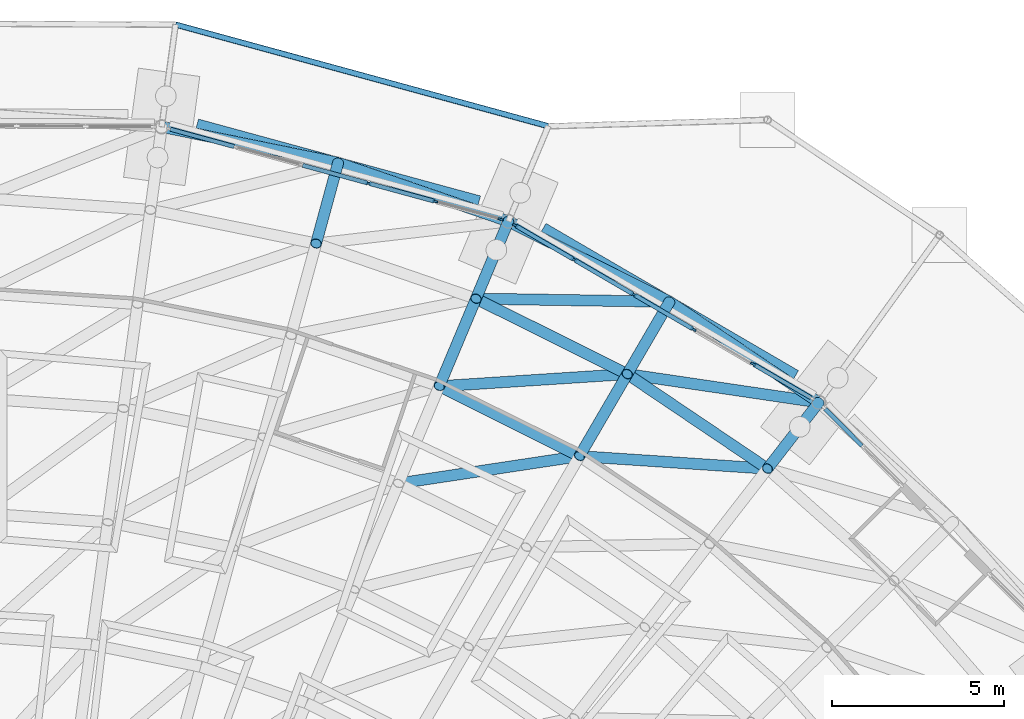
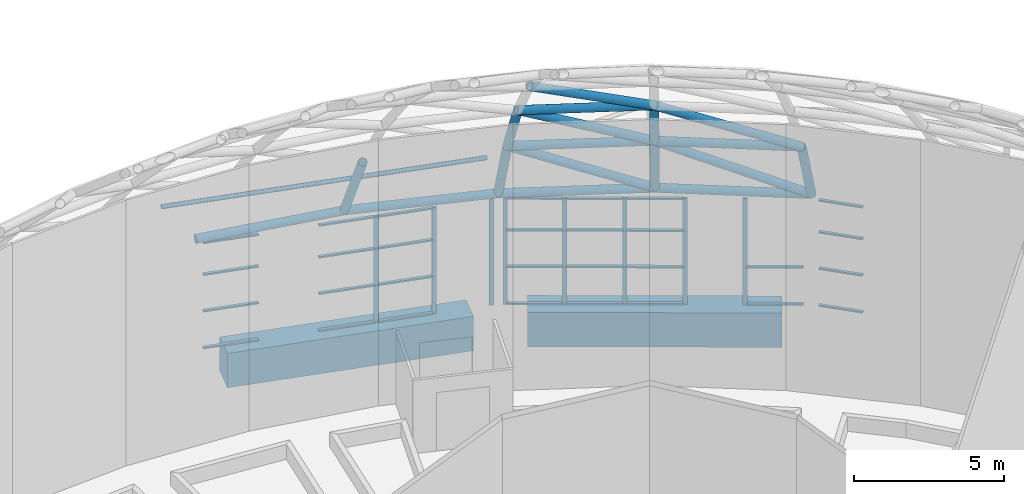
# One storey, part 119 of 226: 57 members, 2 beams, 3 elements without a shape of their own.
"""IFC4 building model written with IfcOpenShell, lengths in metres."""

import ifcopenshell
import ifcopenshell.guid

model = None  # the IFC model being written
_history = None  # IfcOwnerHistory: only IFC2X3 demands one
_inside = {}  # id of a spatial element -> (the spatial element, [elements in it])
_under = {}  # id of a project, library or spatial element -> (it, [spatial elements below it])
_declared = {}  # id of a project -> (the project, [libraries it declares])
_typed = {}  # id of a type object -> (the type object, [elements of that type])
_made_of = {}  # id of a material, layer set ... -> (it, [elements and type objects made of it])


def new_model(schema):
    """Start an empty IFC model of exactly this schema.

    Asked for "IFC4X3", IfcOpenShell would pick the latest addendum, in which some entities
    have other attributes; the version numbers below select the first issue.
    IFC2X3 requires an IfcOwnerHistory on every rooted entity: one is made here for all.
    """
    global model, _history
    if schema == "IFC4X3":
        model = ifcopenshell.file(schema_version=(4, 3, 0, 0))
    else:
        model = ifcopenshell.file(schema=schema)
    _inside.clear()
    _under.clear()
    _declared.clear()
    _typed.clear()
    _made_of.clear()
    _history = None
    if model.schema == "IFC2X3":
        org = make("IfcOrganization", Name="unknown")
        user = make(
            "IfcPersonAndOrganization",
            ThePerson=make("IfcPerson", FamilyName="unknown"),
            TheOrganization=org,
        )
        app = make(
            "IfcApplication",
            ApplicationDeveloper=org,
            Version="unknown",
            ApplicationFullName="unknown",
            ApplicationIdentifier="unknown",
        )
        _history = make(
            "IfcOwnerHistory",
            OwningUser=user,
            OwningApplication=app,
            ChangeAction="ADDED",
            CreationDate=0,
        )
    return model


def make(cls, **values):
    """One entity of the class cls with the attributes given. An attribute that is None is left unset."""
    return model.create_entity(
        cls, **{name: value for name, value in values.items() if value is not None}
    )


def rooted(cls, **values):
    """An entity with a GlobalId (a new one), such as an element, a storey or a relation."""
    return make(cls, GlobalId=ifcopenshell.guid.new(), OwnerHistory=_history, **values)


def si_unit(unit_type, name, prefix=None):
    """IfcSIUnit, for example si_unit("LENGTHUNIT", "METRE", prefix="MILLI")."""
    return make("IfcSIUnit", UnitType=unit_type, Prefix=prefix, Name=name)


def assignment(units):
    """IfcUnitAssignment: the units of a project."""
    return None if units is None else make("IfcUnitAssignment", Units=units)


def point(xyz):
    """IfcCartesianPoint."""
    return None if xyz is None else make("IfcCartesianPoint", Coordinates=xyz)


def direction(xyz):
    """IfcDirection."""
    return None if xyz is None else make("IfcDirection", DirectionRatios=xyz)


def frame(location, z_axis=None, x_axis=None):
    """IfcAxis2Placement3D, a coordinate frame: its origin and axes. An axis left out is left unset."""
    return make(
        "IfcAxis2Placement3D",
        Location=point(location),
        Axis=direction(z_axis),
        RefDirection=direction(x_axis),
    )


def frame_2d(location, x_axis=None):
    """IfcAxis2Placement2D, a coordinate frame in the plane: its origin and x axis."""
    return make(
        "IfcAxis2Placement2D", Location=point(location), RefDirection=direction(x_axis)
    )


def origin():
    """The frame at (0, 0, 0) with its axes left unset."""
    return frame((0.0, 0.0, 0.0))


def origin_2d():
    """The frame at (0, 0) in the plane with its x axis left unset."""
    return frame_2d((0.0, 0.0))


def place(relative_to, where):
    """IfcLocalPlacement: puts the frame where relative to a parent placement (None: the world)."""
    return make(
        "IfcLocalPlacement", PlacementRelTo=relative_to, RelativePlacement=where
    )


def context(
    kind, dimensions, precision=None, world=None, true_north=None, identifier=None
):
    """IfcGeometricRepresentationContext, for example the 3D "Model" context."""
    return make(
        "IfcGeometricRepresentationContext",
        ContextIdentifier=identifier,
        ContextType=kind,
        CoordinateSpaceDimension=dimensions,
        Precision=precision,
        WorldCoordinateSystem=world,
        TrueNorth=true_north,
    )


def subcontext(parent, identifier, kind, view, scale=None):
    """IfcGeometricRepresentationSubContext, for example "Body" below "Model"."""
    return make(
        "IfcGeometricRepresentationSubContext",
        ContextIdentifier=identifier,
        ContextType=kind,
        ParentContext=parent,
        TargetScale=scale,
        TargetView=view,
    )


def project(units=None, contexts=None):
    """IfcProject with its units and contexts."""
    return rooted(
        "IfcProject",
        Name="project",
        RepresentationContexts=contexts,
        UnitsInContext=assignment(units),
    )


def spatial(cls, under=None, at=None, **own):
    """A site, building, storey or space (cls), placed at a placement, below another one or the project."""
    s = rooted(cls, ObjectPlacement=at, **own)
    if under is not None:
        _under.setdefault(under.id(), (under, []))[1].append(s)
    return s


def profile(cls, at=None, kind="AREA", **sizes):
    """A parametric profile (cls). Its sizes go by their IFC names, for example OverallWidth=200.0."""
    return make(cls, ProfileType=kind, Position=at, **sizes)


def rectangle(**sizes):
    """IfcRectangleProfileDef."""
    return profile("IfcRectangleProfileDef", **sizes)


def hollow_circle(**sizes):
    """IfcCircleHollowProfileDef."""
    return profile("IfcCircleHollowProfileDef", **sizes)


def extrude(swept, where, along, depth):
    """IfcExtrudedAreaSolid: the profile swept, set in the frame where, extruded along a direction by depth."""
    return make(
        "IfcExtrudedAreaSolid",
        SweptArea=swept,
        Position=where,
        ExtrudedDirection=direction(along),
        Depth=depth,
    )


def shape(context_of_items, identifier, shape_type, items):
    """IfcShapeRepresentation: the items that make up one representation, for example the "Body"."""
    return make(
        "IfcShapeRepresentation",
        ContextOfItems=context_of_items,
        RepresentationIdentifier=identifier,
        RepresentationType=shape_type,
        Items=items,
    )


def material(Name=None, Category=None):
    """IfcMaterial."""
    return make("IfcMaterial", Name=Name, Category=Category)


def material_profile(
    of_material, cross_section, Name=None, Category=None, Priority=None
):
    """IfcMaterialProfile: a cross section and its material."""
    return make(
        "IfcMaterialProfile",
        Name=Name,
        Material=of_material,
        Profile=cross_section,
        Priority=Priority,
        Category=Category,
    )


def profile_set(profiles, Name=None, composite=None):
    """IfcMaterialProfileSet."""
    return make(
        "IfcMaterialProfileSet",
        Name=Name,
        MaterialProfiles=profiles,
        CompositeProfile=composite,
    )


def made_of(thing, what):
    """Note that an element or type object is made of a material, layer set ...; save() writes the relation."""
    if what is not None:
        _made_of.setdefault(what.id(), (what, []))[1].append(thing)
    return thing


def type_object(cls, material=None, **own):
    """A type object (cls), such as IfcWallType, which elements share."""
    return made_of(rooted(cls, **own), material)


def element(
    cls,
    number,
    at=None,
    inside=None,
    cuts=None,
    type_object=None,
    material=None,
    context=None,
    identifier="Body",
    shape_type=None,
    held_by="IfcProductDefinitionShape",
    body=None,
    shapes=None,
    **own,
):
    """One element of the class cls, such as IfcWall. Its Tag is "e" and its number.

    at: its placement. inside: the storey or other place that contains it. cuts: it is an
    opening in that element (IfcRelVoidsElement). A single representation is given by context,
    identifier, shape_type and body (its items); several are given by shapes. held_by: the class
    of the entity that holds the representations. save() writes the other relations.
    """
    e = rooted(cls, Tag="e%d" % number, ObjectPlacement=at, **own)
    if body is not None:
        shapes = [shape(context, identifier, shape_type, body)]
    if shapes is not None:
        e.Representation = make(held_by, Representations=shapes)
    if inside is not None:
        _inside.setdefault(inside.id(), (inside, []))[1].append(e)
    if cuts is not None:
        rooted(
            "IfcRelVoidsElement", RelatingBuildingElement=cuts, RelatedOpeningElement=e
        )
    if type_object is not None:
        _typed.setdefault(type_object.id(), (type_object, []))[1].append(e)
    return made_of(e, material)


def aggregate(whole, parts):
    """IfcRelAggregates: a whole, such as a stair, and the parts it consists of."""
    return rooted("IfcRelAggregates", RelatingObject=whole, RelatedObjects=parts)


def save(model, path):
    """Write the relations noted so far, then the file.

    IfcRelAggregates (storeys below a building ...), IfcRelContainedInSpatialStructure (elements
    in a storey), IfcRelDefinesByType, IfcRelAssociatesMaterial and IfcRelDeclares: one each for
    every whole, place, type object, material and project.
    """
    for whole, parts in _under.values():
        aggregate(whole, parts)
    for where, things in _inside.values():
        rooted(
            "IfcRelContainedInSpatialStructure",
            RelatedElements=things,
            RelatingStructure=where,
        )
    for kind, things in _typed.values():
        rooted("IfcRelDefinesByType", RelatedObjects=things, RelatingType=kind)
    for what, things in _made_of.values():
        rooted("IfcRelAssociatesMaterial", RelatedObjects=things, RelatingMaterial=what)
    for by, libraries in _declared.values():
        rooted("IfcRelDeclares", RelatingContext=by, RelatedDefinitions=libraries)
    model.write(path)


model = new_model("IFC4")

# Units and contexts
model_context = context("Model", 3, precision=1e-05, world=origin(), true_north=direction((0.0, 1.0)))
body_context = subcontext(model_context, "Body", "Model", "MODEL_VIEW")
ifc_project = project(units=[si_unit("LENGTHUNIT", "METRE"), si_unit("AREAUNIT", "SQUARE_METRE"), si_unit("VOLUMEUNIT", "CUBIC_METRE"), si_unit("PLANEANGLEUNIT", "RADIAN"), si_unit("MASSUNIT", "GRAM", prefix="KILO")], contexts=[model_context])

# Site, building, storey
site_placement = place(None, origin())
site = spatial("IfcSite", under=ifc_project, at=site_placement, CompositionType="ELEMENT")
building_placement = place(site_placement, origin())
building = spatial("IfcBuilding", under=site, at=building_placement, Name="Ceibo Conservatory and Research Tower", CompositionType="ELEMENT")
storey_placement = place(building_placement, origin())
storey = spatial("IfcBuildingStorey", under=building, at=storey_placement, Name="L00", CompositionType="ELEMENT", Elevation=0.0)

# Members
ifc_material_1 = material(Name="Steel ASTM A500 Gr C", Category="steel")
ifc_material_profile_1 = material_profile(ifc_material_1, hollow_circle(Radius=0.084228515625, WallThickness=0.007080078125, at=origin_2d()), Name="CHS 168.3x7.11")
ifc_profile_set_1 = profile_set([ifc_material_profile_1], Name="Steel ASTM A500 Gr C")
member_type_1 = type_object("IfcMemberType", Name="CHS 168.3x7.11", PredefinedType="NOTDEFINED", material=ifc_profile_set_1)
member_1_placement = place(storey_placement, frame((172.628662109375, 147.654541015625, 3.863525390625), z_axis=(-0.964786904954, 0.263032750868, 0.0), x_axis=(-0.263032750868, -0.964786904954, 0.0)))
element("IfcMember", 1, at=member_1_placement, inside=storey, type_object=member_type_1, Name="Brim tip ring A-TR09", PredefinedType="CHORD", context=body_context, shape_type="SweptSolid", body=[
    extrude(hollow_circle(Radius=0.084228515625, WallThickness=0.007080078125, at=origin_2d()), origin(), (0.0, 0.0, 1.0), 11.225341796875),
])
ifc_material_profile_2 = material_profile(ifc_material_1, hollow_circle(Radius=0.161865234375, WallThickness=0.01025390625, at=origin_2d()), Name="CHS 323.9x10.31")
ifc_profile_set_2 = profile_set([ifc_material_profile_2], Name="Steel ASTM A500 Gr C")
member_type_2 = type_object("IfcMemberType", Name="CHS 323.9x10.31", PredefinedType="NOTDEFINED", material=ifc_profile_set_2)
member_2_placement = place(storey_placement, frame((178.998046875, 137.701904296875, 8.115966796875), z_axis=(-0.829026600565, 0.559209169771, 0.0), x_axis=(-0.559209169771, -0.829026600565, 0.0)))
element("IfcMember", 2, at=member_2_placement, inside=storey, type_object=member_type_2, Name="Gridshell member A-C02-07", PredefinedType="CHORD", context=body_context, shape_type="SweptSolid", body=[
    extrude(hollow_circle(Radius=0.161865234375, WallThickness=0.01025390625, at=origin_2d()), origin(), (0.0, 0.0, 1.0), 4.9140625),
])
member_3_placement = place(storey_placement, frame((174.924072265625, 140.449951171875, 8.115966796875), z_axis=(-0.8949433851, 0.446179714315, 0.0), x_axis=(-0.446179714315, -0.8949433851, 0.0)))
element("IfcMember", 3, at=member_3_placement, inside=storey, type_object=member_type_2, Name="Gridshell member A-C02-08", PredefinedType="CHORD", context=body_context, shape_type="SweptSolid", body=[
    extrude(hollow_circle(Radius=0.161865234375, WallThickness=0.01025390625, at=origin_2d()), origin(), (0.0, 0.0, 1.0), 4.9130859375),
])
member_4_placement = place(storey_placement, frame((173.533935546875, 138.06591796875, 11.489013671875), z_axis=(-0.894994855491, 0.446076460537, 0.0), x_axis=(-0.446076460537, -0.894994855491, 0.0)))
element("IfcMember", 4, at=member_4_placement, inside=storey, type_object=member_type_2, Name="Gridshell member A-C03-08", PredefinedType="CHORD", context=body_context, shape_type="SweptSolid", body=[
    extrude(hollow_circle(Radius=0.161865234375, WallThickness=0.01025390625, at=origin_2d()), origin(), (0.0, 0.0, 1.0), 4.552978515625),
])
ifc_material_profile_3 = material_profile(ifc_material_1, hollow_circle(Radius=0.161865234375, WallThickness=0.01416015625, at=origin_2d()), Name="CHS 323.9x14.27")
ifc_profile_set_3 = profile_set([ifc_material_profile_3], Name="Steel ASTM A500 Gr C")
member_type_3 = type_object("IfcMemberType", Name="CHS 323.9x14.27", PredefinedType="NOTDEFINED", material=ifc_profile_set_3)
member_5_placement = place(storey_placement, frame((180.489013671875, 139.6279296875, 4.5), z_axis=(-0.341981307818, -0.441770187879, 0.829390068788), x_axis=(0.790753444568, -0.612134780831, 0.0)))
element("IfcMember", 5, at=member_5_placement, inside=storey, type_object=member_type_3, Name="Gridshell member A-M07-01", PredefinedType="RAFTER", context=body_context, shape_type="SweptSolid", body=[
    extrude(hollow_circle(Radius=0.161865234375, WallThickness=0.01416015625, at=origin_2d()), origin(), (0.0, 0.0, 1.0), 4.35986328125),
])
member_6_placement = place(storey_placement, frame((176.15087890625, 142.552978515625, 4.5), z_axis=(-0.281426570102, -0.482429547235, 0.829494314384), x_axis=(0.863771626951, -0.503883494942, 0.0)))
element("IfcMember", 6, at=member_6_placement, inside=storey, type_object=member_type_3, Name="Gridshell member A-M08-01", PredefinedType="RAFTER", context=body_context, shape_type="SweptSolid", body=[
    extrude(hollow_circle(Radius=0.161865234375, WallThickness=0.01416015625, at=origin_2d()), origin(), (0.0, 0.0, 1.0), 4.359130859375),
])
member_7_placement = place(storey_placement, frame((171.468017578125, 144.887939453125, 4.5), z_axis=(-0.215836492895, -0.515173818926, 0.829464010448), x_axis=(0.922324672103, -0.386415837187, 0.0)))
element("IfcMember", 7, at=member_7_placement, inside=storey, type_object=member_type_3, Name="Gridshell member A-M09-01", PredefinedType="RAFTER", context=body_context, shape_type="SweptSolid", body=[
    extrude(hollow_circle(Radius=0.161865234375, WallThickness=0.01416015625, at=origin_2d()), origin(), (0.0, 0.0, 1.0), 4.359375),
])
member_8_placement = place(storey_placement, frame((166.52099609375, 146.591064453125, 4.5), z_axis=(-0.146789650644, -0.538882113124, 0.829493138379), x_axis=(0.964844766771, -0.262820425453, 0.0)))
element("IfcMember", 8, at=member_8_placement, inside=storey, type_object=member_type_3, Name="Gridshell member A-M10-01", PredefinedType="RAFTER", context=body_context, shape_type="SweptSolid", body=[
    extrude(hollow_circle(Radius=0.161865234375, WallThickness=0.01416015625, at=origin_2d()), origin(), (0.0, 0.0, 1.0), 4.359130859375),
])
member_9_placement = place(storey_placement, frame((174.924072265625, 140.449951171875, 8.115966796875), z_axis=(-0.318973468707, -0.547027734795, 0.773961616378), x_axis=(0.863865520141, -0.503722506061, 0.0)))
element("IfcMember", 9, at=member_9_placement, inside=storey, type_object=member_type_3, Name="Gridshell member A-M08-02", PredefinedType="RAFTER", context=body_context, shape_type="SweptSolid", body=[
    extrude(hollow_circle(Radius=0.161865234375, WallThickness=0.01416015625, at=origin_2d()), origin(), (0.0, 0.0, 1.0), 4.358154296875),
])
member_10_placement = place(storey_placement, frame((170.527099609375, 142.64208984375, 8.115966796875), z_axis=(-0.245067042307, -0.583959752241, 0.773907715776), x_axis=(0.92209259312, -0.386969313659, 0.0)))
element("IfcMember", 10, at=member_10_placement, inside=storey, type_object=member_type_3, Name="Gridshell member A-M09-02", PredefinedType="RAFTER", context=body_context, shape_type="SweptSolid", body=[
    extrude(hollow_circle(Radius=0.161865234375, WallThickness=0.01416015625, at=origin_2d()), origin(), (0.0, 0.0, 1.0), 4.3583984375),
])
ifc_material_2 = material(Name="Steel S355J2H", Category="steel")
ifc_material_profile_4 = material_profile(ifc_material_2, hollow_circle(Radius=0.161865234375, WallThickness=0.025390625, at=origin_2d()), Name="CHS 323.9x25.40")
ifc_profile_set_4 = profile_set([ifc_material_profile_4], Name="Steel S355J2H")
member_type_4 = type_object("IfcMemberType", Name="CHS 323.9x25.40", PredefinedType="NOTDEFINED", material=ifc_profile_set_4)
member_11_placement = place(storey_placement, frame((180.489013671875, 139.6279296875, 4.5), z_axis=(-0.829131483368, 0.55905364974, 0.0), x_axis=(-0.55905364974, -0.829131483368, 0.0)))
element("IfcMember", 11, at=member_11_placement, inside=storey, type_object=member_type_4, Name="Gridshell member A-C01-07", PredefinedType="CHORD", context=body_context, shape_type="SweptSolid", body=[
    extrude(hollow_circle(Radius=0.161865234375, WallThickness=0.025390625, at=origin_2d()), origin(), (0.0, 0.0, 1.0), 5.232177734375),
])
member_12_placement = place(storey_placement, frame((176.15087890625, 142.552978515625, 4.5), z_axis=(-0.89492120457, 0.446224201059, 0.0), x_axis=(-0.446224201059, -0.89492120457, 0.0)))
element("IfcMember", 12, at=member_12_placement, inside=storey, type_object=member_type_4, Name="Gridshell member A-C01-08", PredefinedType="CHORD", context=body_context, shape_type="SweptSolid", body=[
    extrude(hollow_circle(Radius=0.161865234375, WallThickness=0.025390625, at=origin_2d()), origin(), (0.0, 0.0, 1.0), 5.232666015625),
])
member_13_placement = place(storey_placement, frame((171.468017578125, 144.887939453125, 4.5), z_axis=(-0.945534525029, 0.325521830262, 0.0), x_axis=(-0.325521830262, -0.945534525029, 0.0)))
element("IfcMember", 13, at=member_13_placement, inside=storey, type_object=member_type_4, Name="Gridshell member A-C01-09", PredefinedType="CHORD", context=body_context, shape_type="SweptSolid", body=[
    extrude(hollow_circle(Radius=0.161865234375, WallThickness=0.025390625, at=origin_2d()), origin(), (0.0, 0.0, 1.0), 5.23193359375),
])
member_14_placement = place(storey_placement, frame((166.52099609375, 146.591064453125, 4.5), z_axis=(-0.979892770235, 0.199524832644, 0.0), x_axis=(-0.199524832644, -0.979892770235, 0.0)))
element("IfcMember", 14, at=member_14_placement, inside=storey, type_object=member_type_4, Name="Gridshell member A-C01-10", PredefinedType="CHORD", context=body_context, shape_type="SweptSolid", body=[
    extrude(hollow_circle(Radius=0.161865234375, WallThickness=0.025390625, at=origin_2d()), origin(), (0.0, 0.0, 1.0), 5.232177734375),
])
ifc_material_profile_5 = material_profile(ifc_material_1, hollow_circle(Radius=0.161865234375, WallThickness=0.00830078125, at=origin_2d()), Name="CHS 323.9x8.38")
ifc_profile_set_5 = profile_set([ifc_material_profile_5], Name="Steel ASTM A500 Gr C")
member_type_5 = type_object("IfcMemberType", Name="CHS 323.9x8.38", PredefinedType="NOTDEFINED", material=ifc_profile_set_5)
member_15_placement = place(storey_placement, frame((180.489013671875, 139.6279296875, 4.5), z_axis=(-0.832170061354, 0.122923427068, 0.540724347579), x_axis=(-0.146128684803, -0.989265589959, 0.0)))
element("IfcMember", 15, at=member_15_placement, inside=storey, type_object=member_type_5, Name="Gridshell diagonal member A-D01-07", PredefinedType="BRACE", context=body_context, shape_type="SweptSolid", body=[
    extrude(hollow_circle(Radius=0.161865234375, WallThickness=0.00830078125, at=origin_2d()), origin(), (0.0, 0.0, 1.0), 6.687255859375),
])
member_16_placement = place(storey_placement, frame((176.15087890625, 142.552978515625, 4.5), z_axis=(-0.84105750298, 0.013326936774, 0.540781535777), x_axis=(-0.015843463722, -0.999874484452, 0.0)))
element("IfcMember", 16, at=member_16_placement, inside=storey, type_object=member_type_5, Name="Gridshell diagonal member A-D01-08", PredefinedType="BRACE", context=body_context, shape_type="SweptSolid", body=[
    extrude(hollow_circle(Radius=0.161865234375, WallThickness=0.00830078125, at=origin_2d()), origin(), (0.0, 0.0, 1.0), 6.6865234375),
])
member_17_placement = place(storey_placement, frame((178.998046875, 137.701904296875, 8.115966796875), z_axis=(-0.84956251301, 0.056597011166, 0.524442861344), x_axis=(-0.0664716668, -0.997788312977, 0.0)))
element("IfcMember", 17, at=member_17_placement, inside=storey, type_object=member_type_5, Name="Gridshell diagonal member A-D02-07", PredefinedType="BRACE", context=body_context, shape_type="SweptSolid", body=[
    extrude(hollow_circle(Radius=0.161865234375, WallThickness=0.00830078125, at=origin_2d()), origin(), (0.0, 0.0, 1.0), 6.431640625),
])
member_18_placement = place(storey_placement, frame((174.924072265625, 140.449951171875, 8.115966796875), z_axis=(-0.849685640512, -0.054886997372, 0.524425142252), x_axis=(0.064462475339, -0.997920131711, 0.0)))
element("IfcMember", 18, at=member_18_placement, inside=storey, type_object=member_type_5, Name="Gridshell diagonal member A-D02-08", PredefinedType="BRACE", context=body_context, shape_type="SweptSolid", body=[
    extrude(hollow_circle(Radius=0.161865234375, WallThickness=0.00830078125, at=origin_2d()), origin(), (0.0, 0.0, 1.0), 6.431884765625),
])
member_19_placement = place(storey_placement, frame((173.533935546875, 138.06591796875, 11.489013671875), z_axis=(-0.854151764388, -0.128790907141, 0.50382304992), x_axis=(0.149096875002, -0.988822593727, 0.0)))
element("IfcMember", 19, at=member_19_placement, inside=storey, type_object=member_type_5, Name="Gridshell diagonal member A-D03-08", PredefinedType="BRACE", context=body_context, shape_type="SweptSolid", body=[
    extrude(hollow_circle(Radius=0.161865234375, WallThickness=0.00830078125, at=origin_2d()), origin(), (0.0, 0.0, 1.0), 6.156982421875),
])

# Curtain wall, members
ifc_material_3 = material(Name="Aluminium and glass", Category="aluminium")
curtain_wall_type = type_object("IfcCurtainWallType", Name="Drum curtain wall", PredefinedType="NOTDEFINED", material=ifc_material_3)
curtain_wall_1_placement = place(storey_placement, origin())
curtain_wall_1 = element("IfcCurtainWall", 20, at=curtain_wall_1_placement, inside=storey, type_object=curtain_wall_type, Name="Drum curtain wall A-CW04", PredefinedType="NOTDEFINED")
ifc_material_4 = material(Name="Aluminium", Category="aluminium")
ifc_material_profile_6 = material_profile(ifc_material_4, rectangle(XDim=0.06005859375, YDim=0.159912109375, at=origin_2d()), Name="AL 60x160")
ifc_profile_set_6 = profile_set([ifc_material_profile_6], Name="Aluminium")
member_type_6 = type_object("IfcMemberType", Name="Drum mullion 60x160", PredefinedType="MULLION", material=ifc_profile_set_6)
member_20_placement = place(storey_placement, frame((178.579345703125, 140.7412109375, 0.0), z_axis=(0.0, 0.0, 1.0), x_axis=(-0.503773971965, -0.863835508167, 0.0)))
member_20 = element("IfcMember", 21, at=member_20_placement, type_object=member_type_6, Name="A-CW04 mullion 2", PredefinedType="MULLION", context=body_context, shape_type="SweptSolid", body=[
    extrude(rectangle(XDim=0.06005859375, YDim=0.159912109375, at=origin_2d()), origin(), (0.0, 0.0, 1.0), 4.338134765625),
])
member_21_placement = place(storey_placement, frame((176.845458984375, 141.752197265625, 0.0), z_axis=(0.0, 0.0, 1.0), x_axis=(-0.503773971965, -0.863835508167, 0.0)))
member_21 = element("IfcMember", 22, at=member_21_placement, type_object=member_type_6, Name="A-CW04 mullion 3", PredefinedType="MULLION", context=body_context, shape_type="SweptSolid", body=[
    extrude(rectangle(XDim=0.06005859375, YDim=0.159912109375, at=origin_2d()), origin(), (0.0, 0.0, 1.0), 4.338134765625),
])
member_22_placement = place(storey_placement, frame((175.111572265625, 142.763427734375, 0.0), z_axis=(0.0, 0.0, 1.0), x_axis=(-0.503773971965, -0.863835508167, 0.0)))
member_22 = element("IfcMember", 23, at=member_22_placement, type_object=member_type_6, Name="A-CW04 mullion 4", PredefinedType="MULLION", context=body_context, shape_type="SweptSolid", body=[
    extrude(rectangle(XDim=0.06005859375, YDim=0.159912109375, at=origin_2d()), origin(), (0.0, 0.0, 1.0), 4.338134765625),
])
member_23_placement = place(storey_placement, frame((173.377685546875, 143.7744140625, 0.0), z_axis=(0.0, 0.0, 1.0), x_axis=(-0.503773971965, -0.863835508167, 0.0)))
member_23 = element("IfcMember", 24, at=member_23_placement, type_object=member_type_6, Name="A-CW04 mullion 5", PredefinedType="MULLION", context=body_context, shape_type="SweptSolid", body=[
    extrude(rectangle(XDim=0.06005859375, YDim=0.159912109375, at=origin_2d()), origin(), (0.0, 0.0, 1.0), 4.338134765625),
])
member_24_placement = place(storey_placement, frame((171.669921875, 144.7705078125, 0.0), z_axis=(0.0, 0.0, 1.0), x_axis=(-0.503773971965, -0.863835508167, 0.0)))
member_24 = element("IfcMember", 25, at=member_24_placement, type_object=member_type_6, Name="A-CW04 mullion 6", PredefinedType="MULLION", context=body_context, shape_type="SweptSolid", body=[
    extrude(rectangle(XDim=0.06005859375, YDim=0.159912109375, at=origin_2d()), origin(), (0.0, 0.0, 1.0), 4.338134765625),
])

curtain_wall_2_placement = place(storey_placement, origin())
curtain_wall_2 = element("IfcCurtainWall", 26, at=curtain_wall_2_placement, inside=storey, type_object=curtain_wall_type, Name="Drum curtain wall A-CW05", PredefinedType="NOTDEFINED")
member_25_placement = place(storey_placement, frame((171.243408203125, 144.949462890625, 0.0), z_axis=(0.0, 0.0, 1.0), x_axis=(-0.263031218095, -0.964787322837, 0.0)))
member_25 = element("IfcMember", 27, at=member_25_placement, type_object=member_type_6, Name="A-CW05 mullion 1", PredefinedType="MULLION", context=body_context, shape_type="SweptSolid", body=[
    extrude(rectangle(XDim=0.06005859375, YDim=0.159912109375, at=origin_2d()), origin(), (0.0, 0.0, 1.0), 4.338134765625),
])
member_26_placement = place(storey_placement, frame((169.3359375, 145.469482421875, 0.0), z_axis=(0.0, 0.0, 1.0), x_axis=(-0.263031218095, -0.964787322837, 0.0)))
member_26 = element("IfcMember", 28, at=member_26_placement, type_object=member_type_6, Name="A-CW05 mullion 2", PredefinedType="MULLION", context=body_context, shape_type="SweptSolid", body=[
    extrude(rectangle(XDim=0.06005859375, YDim=0.159912109375, at=origin_2d()), origin(), (0.0, 0.0, 1.0), 4.338134765625),
])
member_27_placement = place(storey_placement, frame((167.3994140625, 145.997314453125, 0.0), z_axis=(0.0, 0.0, 1.0), x_axis=(-0.263031218095, -0.964787322837, 0.0)))
member_27 = element("IfcMember", 29, at=member_27_placement, type_object=member_type_6, Name="A-CW05 mullion 3", PredefinedType="MULLION", context=body_context, shape_type="SweptSolid", body=[
    extrude(rectangle(XDim=0.06005859375, YDim=0.159912109375, at=origin_2d()), origin(), (0.0, 0.0, 1.0), 4.338134765625),
])

curtain_wall_3_placement = place(storey_placement, origin())
curtain_wall_3 = element("IfcCurtainWall", 30, at=curtain_wall_3_placement, inside=storey, type_object=curtain_wall_type, Name="Drum curtain wall A-CW03E", PredefinedType="NOTDEFINED")
ifc_material_profile_7 = material_profile(ifc_material_4, rectangle(XDim=0.1201171875, YDim=0.06005859375, at=origin_2d()), Name="AL 60x120")
ifc_profile_set_7 = profile_set([ifc_material_profile_7], Name="Aluminium")
member_type_7 = type_object("IfcMemberType", Name="Drum transom 60x120", PredefinedType="USERDEFINED", material=ifc_profile_set_7)
member_28_placement = place(storey_placement, frame((181.743408203125, 138.362060546875, 0.030029296875), z_axis=(-0.704046104404, 0.710154266954, 0.0), x_axis=(-0.710154266954, -0.704046104404, 0.0)))
member_28 = element("IfcMember", 31, at=member_28_placement, type_object=member_type_7, Name="A-CW03E transom 2.1", ObjectType="TRANSOM", PredefinedType="USERDEFINED", context=body_context, shape_type="SweptSolid", body=[
    extrude(rectangle(XDim=0.1201171875, YDim=0.06005859375, at=origin_2d()), origin(), (0.0, 0.0, 1.0), 1.518798828125),
])
member_29_placement = place(storey_placement, frame((181.743408203125, 138.362060546875, 1.530029296875), z_axis=(-0.704046104404, 0.710154266954, 0.0), x_axis=(-0.710154266954, -0.704046104404, 0.0)))
member_29 = element("IfcMember", 32, at=member_29_placement, type_object=member_type_7, Name="A-CW03E transom 2.2", ObjectType="TRANSOM", PredefinedType="USERDEFINED", context=body_context, shape_type="SweptSolid", body=[
    extrude(rectangle(XDim=0.1201171875, YDim=0.06005859375, at=origin_2d()), origin(), (0.0, 0.0, 1.0), 1.518798828125),
])
member_30_placement = place(storey_placement, frame((181.743408203125, 138.362060546875, 3.014892578125), z_axis=(-0.704046104404, 0.710154266954, 0.0), x_axis=(-0.710154266954, -0.704046104404, 0.0)))
member_30 = element("IfcMember", 33, at=member_30_placement, type_object=member_type_7, Name="A-CW03E transom 2.3", ObjectType="TRANSOM", PredefinedType="USERDEFINED", context=body_context, shape_type="SweptSolid", body=[
    extrude(rectangle(XDim=0.1201171875, YDim=0.06005859375, at=origin_2d()), origin(), (0.0, 0.0, 1.0), 1.518798828125),
])
member_31_placement = place(storey_placement, frame((181.743408203125, 138.362060546875, 4.30810546875), z_axis=(-0.704046104404, 0.710154266954, 0.0), x_axis=(-0.710154266954, -0.704046104404, 0.0)))
member_31 = element("IfcMember", 34, at=member_31_placement, type_object=member_type_7, Name="A-CW03E transom 2.4", ObjectType="TRANSOM", PredefinedType="USERDEFINED", context=body_context, shape_type="SweptSolid", body=[
    extrude(rectangle(XDim=0.1201171875, YDim=0.06005859375, at=origin_2d()), origin(), (0.0, 0.0, 1.0), 1.518798828125),
])
aggregate(curtain_wall_3, [member_28, member_29, member_30, member_31])

# Member
member_32_placement = place(storey_placement, frame((180.26123046875, 139.76025390625, 0.030029296875), z_axis=(-0.863820468427, 0.50379976015, 0.0), x_axis=(-0.50379976015, -0.863820468427, 0.0)))
member_32 = element("IfcMember", 35, at=member_32_placement, type_object=member_type_7, Name="A-CW04 transom 1.1", ObjectType="TRANSOM", PredefinedType="USERDEFINED", context=body_context, shape_type="SweptSolid", body=[
    extrude(rectangle(XDim=0.1201171875, YDim=0.06005859375, at=origin_2d()), origin(), (0.0, 0.0, 1.0), 1.9169921875),
])

member_33_placement = place(storey_placement, frame((180.26123046875, 139.76025390625, 1.530029296875), z_axis=(-0.863820468427, 0.50379976015, 0.0), x_axis=(-0.50379976015, -0.863820468427, 0.0)))
member_33 = element("IfcMember", 36, at=member_33_placement, type_object=member_type_7, Name="A-CW04 transom 1.2", ObjectType="TRANSOM", PredefinedType="USERDEFINED", context=body_context, shape_type="SweptSolid", body=[
    extrude(rectangle(XDim=0.1201171875, YDim=0.06005859375, at=origin_2d()), origin(), (0.0, 0.0, 1.0), 1.9169921875),
])

member_34_placement = place(storey_placement, frame((176.819580078125, 141.767333984375, 0.030029296875), z_axis=(-0.86384255657, 0.503761885675, 0.0), x_axis=(-0.503761885675, -0.86384255657, 0.0)))
member_34 = element("IfcMember", 37, at=member_34_placement, type_object=member_type_7, Name="A-CW04 transom 3.1", ObjectType="TRANSOM", PredefinedType="USERDEFINED", context=body_context, shape_type="SweptSolid", body=[
    extrude(rectangle(XDim=0.1201171875, YDim=0.06005859375, at=origin_2d()), origin(), (0.0, 0.0, 1.0), 1.947265625),
])

member_35_placement = place(storey_placement, frame((176.819580078125, 141.767333984375, 1.530029296875), z_axis=(-0.86384255657, 0.503761885675, 0.0), x_axis=(-0.503761885675, -0.86384255657, 0.0)))
member_35 = element("IfcMember", 38, at=member_35_placement, type_object=member_type_7, Name="A-CW04 transom 3.2", ObjectType="TRANSOM", PredefinedType="USERDEFINED", context=body_context, shape_type="SweptSolid", body=[
    extrude(rectangle(XDim=0.1201171875, YDim=0.06005859375, at=origin_2d()), origin(), (0.0, 0.0, 1.0), 1.947265625),
])

member_36_placement = place(storey_placement, frame((176.819580078125, 141.767333984375, 3.014892578125), z_axis=(-0.86384255657, 0.503761885675, 0.0), x_axis=(-0.503761885675, -0.86384255657, 0.0)))
member_36 = element("IfcMember", 39, at=member_36_placement, type_object=member_type_7, Name="A-CW04 transom 3.3", ObjectType="TRANSOM", PredefinedType="USERDEFINED", context=body_context, shape_type="SweptSolid", body=[
    extrude(rectangle(XDim=0.1201171875, YDim=0.06005859375, at=origin_2d()), origin(), (0.0, 0.0, 1.0), 1.947265625),
])

member_37_placement = place(storey_placement, frame((176.819580078125, 141.767333984375, 4.30810546875), z_axis=(-0.86384255657, 0.503761885675, 0.0), x_axis=(-0.503761885675, -0.86384255657, 0.0)))
member_37 = element("IfcMember", 40, at=member_37_placement, type_object=member_type_7, Name="A-CW04 transom 3.4", ObjectType="TRANSOM", PredefinedType="USERDEFINED", context=body_context, shape_type="SweptSolid", body=[
    extrude(rectangle(XDim=0.1201171875, YDim=0.06005859375, at=origin_2d()), origin(), (0.0, 0.0, 1.0), 1.947265625),
])

member_38_placement = place(storey_placement, frame((175.085693359375, 142.778564453125, 0.030029296875), z_axis=(-0.863810733905, 0.503816450694, 0.0), x_axis=(-0.503816450694, -0.863810733905, 0.0)))
member_38 = element("IfcMember", 41, at=member_38_placement, type_object=member_type_7, Name="A-CW04 transom 4.1", ObjectType="TRANSOM", PredefinedType="USERDEFINED", context=body_context, shape_type="SweptSolid", body=[
    extrude(rectangle(XDim=0.1201171875, YDim=0.06005859375, at=origin_2d()), origin(), (0.0, 0.0, 1.0), 1.947021484375),
])

member_39_placement = place(storey_placement, frame((175.085693359375, 142.778564453125, 1.530029296875), z_axis=(-0.863810733905, 0.503816450694, 0.0), x_axis=(-0.503816450694, -0.863810733905, 0.0)))
member_39 = element("IfcMember", 42, at=member_39_placement, type_object=member_type_7, Name="A-CW04 transom 4.2", ObjectType="TRANSOM", PredefinedType="USERDEFINED", context=body_context, shape_type="SweptSolid", body=[
    extrude(rectangle(XDim=0.1201171875, YDim=0.06005859375, at=origin_2d()), origin(), (0.0, 0.0, 1.0), 1.947021484375),
])

member_40_placement = place(storey_placement, frame((175.085693359375, 142.778564453125, 3.014892578125), z_axis=(-0.863810733905, 0.503816450694, 0.0), x_axis=(-0.503816450694, -0.863810733905, 0.0)))
member_40 = element("IfcMember", 43, at=member_40_placement, type_object=member_type_7, Name="A-CW04 transom 4.3", ObjectType="TRANSOM", PredefinedType="USERDEFINED", context=body_context, shape_type="SweptSolid", body=[
    extrude(rectangle(XDim=0.1201171875, YDim=0.06005859375, at=origin_2d()), origin(), (0.0, 0.0, 1.0), 1.947021484375),
])

member_41_placement = place(storey_placement, frame((175.085693359375, 142.778564453125, 4.30810546875), z_axis=(-0.863810733905, 0.503816450694, 0.0), x_axis=(-0.503816450694, -0.863810733905, 0.0)))
member_41 = element("IfcMember", 44, at=member_41_placement, type_object=member_type_7, Name="A-CW04 transom 4.4", ObjectType="TRANSOM", PredefinedType="USERDEFINED", context=body_context, shape_type="SweptSolid", body=[
    extrude(rectangle(XDim=0.1201171875, YDim=0.06005859375, at=origin_2d()), origin(), (0.0, 0.0, 1.0), 1.947021484375),
])

member_42_placement = place(storey_placement, frame((173.351806640625, 143.78955078125, 0.030029296875), z_axis=(-0.863820468427, 0.50379976015, 0.0), x_axis=(-0.50379976015, -0.863820468427, 0.0)))
member_42 = element("IfcMember", 45, at=member_42_placement, type_object=member_type_7, Name="A-CW04 transom 5.1", ObjectType="TRANSOM", PredefinedType="USERDEFINED", context=body_context, shape_type="SweptSolid", body=[
    extrude(rectangle(XDim=0.1201171875, YDim=0.06005859375, at=origin_2d()), origin(), (0.0, 0.0, 1.0), 1.9169921875),
])

member_43_placement = place(storey_placement, frame((173.351806640625, 143.78955078125, 1.530029296875), z_axis=(-0.863820468427, 0.50379976015, 0.0), x_axis=(-0.50379976015, -0.863820468427, 0.0)))
member_43 = element("IfcMember", 46, at=member_43_placement, type_object=member_type_7, Name="A-CW04 transom 5.2", ObjectType="TRANSOM", PredefinedType="USERDEFINED", context=body_context, shape_type="SweptSolid", body=[
    extrude(rectangle(XDim=0.1201171875, YDim=0.06005859375, at=origin_2d()), origin(), (0.0, 0.0, 1.0), 1.9169921875),
])

member_44_placement = place(storey_placement, frame((173.351806640625, 143.78955078125, 3.014892578125), z_axis=(-0.863820468427, 0.50379976015, 0.0), x_axis=(-0.50379976015, -0.863820468427, 0.0)))
member_44 = element("IfcMember", 47, at=member_44_placement, type_object=member_type_7, Name="A-CW04 transom 5.3", ObjectType="TRANSOM", PredefinedType="USERDEFINED", context=body_context, shape_type="SweptSolid", body=[
    extrude(rectangle(XDim=0.1201171875, YDim=0.06005859375, at=origin_2d()), origin(), (0.0, 0.0, 1.0), 1.9169921875),
])

member_45_placement = place(storey_placement, frame((173.351806640625, 143.78955078125, 4.30810546875), z_axis=(-0.863820468427, 0.50379976015, 0.0), x_axis=(-0.50379976015, -0.863820468427, 0.0)))
member_45 = element("IfcMember", 48, at=member_45_placement, type_object=member_type_7, Name="A-CW04 transom 5.4", ObjectType="TRANSOM", PredefinedType="USERDEFINED", context=body_context, shape_type="SweptSolid", body=[
    extrude(rectangle(XDim=0.1201171875, YDim=0.06005859375, at=origin_2d()), origin(), (0.0, 0.0, 1.0), 1.9169921875),
])

aggregate(curtain_wall_1, [member_20, member_21, member_22, member_23, member_24, member_32, member_33, member_34, member_35, member_36, member_37, member_38, member_39, member_40, member_41, member_42, member_43, member_44, member_45])

member_46_placement = place(storey_placement, frame((169.306884765625, 145.477294921875, 0.030029296875), z_axis=(-0.964775395063, 0.263074964757, 0.0), x_axis=(-0.263074964757, -0.964775395063, 0.0)))
member_46 = element("IfcMember", 49, at=member_46_placement, type_object=member_type_7, Name="A-CW05 transom 2.1", ObjectType="TRANSOM", PredefinedType="USERDEFINED", context=body_context, shape_type="SweptSolid", body=[
    extrude(rectangle(XDim=0.1201171875, YDim=0.06005859375, at=origin_2d()), origin(), (0.0, 0.0, 1.0), 1.947021484375),
])

member_47_placement = place(storey_placement, frame((169.306884765625, 145.477294921875, 1.530029296875), z_axis=(-0.964775395063, 0.263074964757, 0.0), x_axis=(-0.263074964757, -0.964775395063, 0.0)))
member_47 = element("IfcMember", 50, at=member_47_placement, type_object=member_type_7, Name="A-CW05 transom 2.2", ObjectType="TRANSOM", PredefinedType="USERDEFINED", context=body_context, shape_type="SweptSolid", body=[
    extrude(rectangle(XDim=0.1201171875, YDim=0.06005859375, at=origin_2d()), origin(), (0.0, 0.0, 1.0), 1.947021484375),
])

member_48_placement = place(storey_placement, frame((169.306884765625, 145.477294921875, 3.014892578125), z_axis=(-0.964775395063, 0.263074964757, 0.0), x_axis=(-0.263074964757, -0.964775395063, 0.0)))
member_48 = element("IfcMember", 51, at=member_48_placement, type_object=member_type_7, Name="A-CW05 transom 2.3", ObjectType="TRANSOM", PredefinedType="USERDEFINED", context=body_context, shape_type="SweptSolid", body=[
    extrude(rectangle(XDim=0.1201171875, YDim=0.06005859375, at=origin_2d()), origin(), (0.0, 0.0, 1.0), 1.947021484375),
])

member_49_placement = place(storey_placement, frame((169.306884765625, 145.477294921875, 4.30810546875), z_axis=(-0.964775395063, 0.263074964757, 0.0), x_axis=(-0.263074964757, -0.964775395063, 0.0)))
member_49 = element("IfcMember", 52, at=member_49_placement, type_object=member_type_7, Name="A-CW05 transom 2.4", ObjectType="TRANSOM", PredefinedType="USERDEFINED", context=body_context, shape_type="SweptSolid", body=[
    extrude(rectangle(XDim=0.1201171875, YDim=0.06005859375, at=origin_2d()), origin(), (0.0, 0.0, 1.0), 1.947021484375),
])

member_50_placement = place(storey_placement, frame((167.37060546875, 146.00537109375, 0.030029296875), z_axis=(-0.964815884167, 0.262926433931, 0.0), x_axis=(-0.262926433931, -0.964815884167, 0.0)))
member_50 = element("IfcMember", 53, at=member_50_placement, type_object=member_type_7, Name="A-CW05 transom 3.1", ObjectType="TRANSOM", PredefinedType="USERDEFINED", context=body_context, shape_type="SweptSolid", body=[
    extrude(rectangle(XDim=0.1201171875, YDim=0.06005859375, at=origin_2d()), origin(), (0.0, 0.0, 1.0), 1.947265625),
])

member_51_placement = place(storey_placement, frame((167.37060546875, 146.00537109375, 1.530029296875), z_axis=(-0.964815884167, 0.262926433931, 0.0), x_axis=(-0.262926433931, -0.964815884167, 0.0)))
member_51 = element("IfcMember", 54, at=member_51_placement, type_object=member_type_7, Name="A-CW05 transom 3.2", ObjectType="TRANSOM", PredefinedType="USERDEFINED", context=body_context, shape_type="SweptSolid", body=[
    extrude(rectangle(XDim=0.1201171875, YDim=0.06005859375, at=origin_2d()), origin(), (0.0, 0.0, 1.0), 1.947265625),
])

member_52_placement = place(storey_placement, frame((167.37060546875, 146.00537109375, 3.014892578125), z_axis=(-0.964815884167, 0.262926433931, 0.0), x_axis=(-0.262926433931, -0.964815884167, 0.0)))
member_52 = element("IfcMember", 55, at=member_52_placement, type_object=member_type_7, Name="A-CW05 transom 3.3", ObjectType="TRANSOM", PredefinedType="USERDEFINED", context=body_context, shape_type="SweptSolid", body=[
    extrude(rectangle(XDim=0.1201171875, YDim=0.06005859375, at=origin_2d()), origin(), (0.0, 0.0, 1.0), 1.947265625),
])

member_53_placement = place(storey_placement, frame((167.37060546875, 146.00537109375, 4.30810546875), z_axis=(-0.964815884167, 0.262926433931, 0.0), x_axis=(-0.262926433931, -0.964815884167, 0.0)))
member_53 = element("IfcMember", 56, at=member_53_placement, type_object=member_type_7, Name="A-CW05 transom 3.4", ObjectType="TRANSOM", PredefinedType="USERDEFINED", context=body_context, shape_type="SweptSolid", body=[
    extrude(rectangle(XDim=0.1201171875, YDim=0.06005859375, at=origin_2d()), origin(), (0.0, 0.0, 1.0), 1.947265625),
])

member_54_placement = place(storey_placement, frame((163.49755859375, 147.06103515625, 0.030029296875), z_axis=(-0.964769698483, 0.263095854945, 0.0), x_axis=(-0.263095854945, -0.964769698483, 0.0)))
member_54 = element("IfcMember", 57, at=member_54_placement, type_object=member_type_7, Name="A-CW05 transom 5.1", ObjectType="TRANSOM", PredefinedType="USERDEFINED", context=body_context, shape_type="SweptSolid", body=[
    extrude(rectangle(XDim=0.1201171875, YDim=0.06005859375, at=origin_2d()), origin(), (0.0, 0.0, 1.0), 1.917236328125),
])

member_55_placement = place(storey_placement, frame((163.49755859375, 147.06103515625, 1.530029296875), z_axis=(-0.964769698483, 0.263095854945, 0.0), x_axis=(-0.263095854945, -0.964769698483, 0.0)))
member_55 = element("IfcMember", 58, at=member_55_placement, type_object=member_type_7, Name="A-CW05 transom 5.2", ObjectType="TRANSOM", PredefinedType="USERDEFINED", context=body_context, shape_type="SweptSolid", body=[
    extrude(rectangle(XDim=0.1201171875, YDim=0.06005859375, at=origin_2d()), origin(), (0.0, 0.0, 1.0), 1.917236328125),
])

member_56_placement = place(storey_placement, frame((163.49755859375, 147.06103515625, 3.014892578125), z_axis=(-0.964769698483, 0.263095854945, 0.0), x_axis=(-0.263095854945, -0.964769698483, 0.0)))
member_56 = element("IfcMember", 59, at=member_56_placement, type_object=member_type_7, Name="A-CW05 transom 5.3", ObjectType="TRANSOM", PredefinedType="USERDEFINED", context=body_context, shape_type="SweptSolid", body=[
    extrude(rectangle(XDim=0.1201171875, YDim=0.06005859375, at=origin_2d()), origin(), (0.0, 0.0, 1.0), 1.917236328125),
])

member_57_placement = place(storey_placement, frame((163.49755859375, 147.06103515625, 4.30810546875), z_axis=(-0.964769698483, 0.263095854945, 0.0), x_axis=(-0.263095854945, -0.964769698483, 0.0)))
member_57 = element("IfcMember", 60, at=member_57_placement, type_object=member_type_7, Name="A-CW05 transom 5.4", ObjectType="TRANSOM", PredefinedType="USERDEFINED", context=body_context, shape_type="SweptSolid", body=[
    extrude(rectangle(XDim=0.1201171875, YDim=0.06005859375, at=origin_2d()), origin(), (0.0, 0.0, 1.0), 1.917236328125),
])

aggregate(curtain_wall_2, [member_25, member_26, member_27, member_46, member_47, member_48, member_49, member_50, member_51, member_52, member_53, member_54, member_55, member_56, member_57])

# Beams
ifc_material_5 = material(Name="Concrete C35/45", Category="concrete")
ifc_material_profile_8 = material_profile(ifc_material_5, rectangle(XDim=1.0, YDim=1.39990234375, at=origin_2d()), Name="RC 1000x1400")
ifc_profile_set_8 = profile_set([ifc_material_profile_8], Name="Concrete C35/45")
beam_type = type_object("IfcBeamType", Name="RC ring beam 1000x1400", PredefinedType="BEAM", material=ifc_profile_set_8)
beam_1_placement = place(storey_placement, frame((179.646728515625, 140.11865234375, -0.699951171875), z_axis=(-0.863843537018, 0.503760204416, 0.0), x_axis=(-0.503760204416, -0.863843537018, 0.0)))
element("IfcBeam", 61, at=beam_1_placement, inside=storey, type_object=beam_type, Name="Drum ring beam A-RB04", PredefinedType="BEAM", context=body_context, shape_type="SweptSolid", body=[
    extrude(rectangle(XDim=1.0, YDim=1.39990234375, at=origin_2d()), origin(), (0.0, 0.0, 1.0), 8.49267578125),
])
beam_2_placement = place(storey_placement, frame((170.528076171875, 145.144287109375, -0.699951171875), z_axis=(-0.964787698914, 0.263029838659, 0.0), x_axis=(-0.263029838659, -0.964787698914, 0.0)))
element("IfcBeam", 62, at=beam_2_placement, inside=storey, type_object=beam_type, Name="Drum ring beam A-RB05", PredefinedType="BEAM", context=body_context, shape_type="SweptSolid", body=[
    extrude(rectangle(XDim=1.0, YDim=1.39990234375, at=origin_2d()), origin(), (0.0, 0.0, 1.0), 8.492919921875),
])

save(model, "model.ifc")
